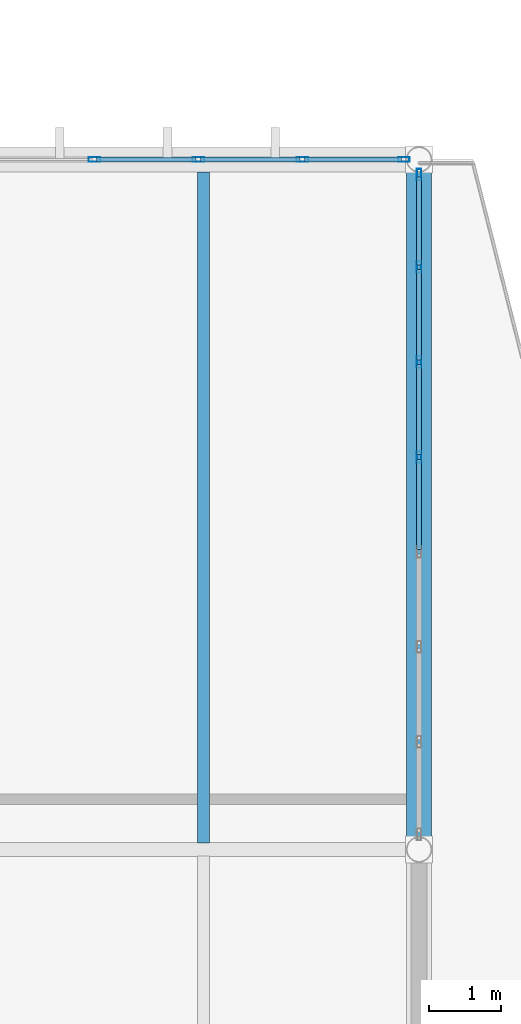
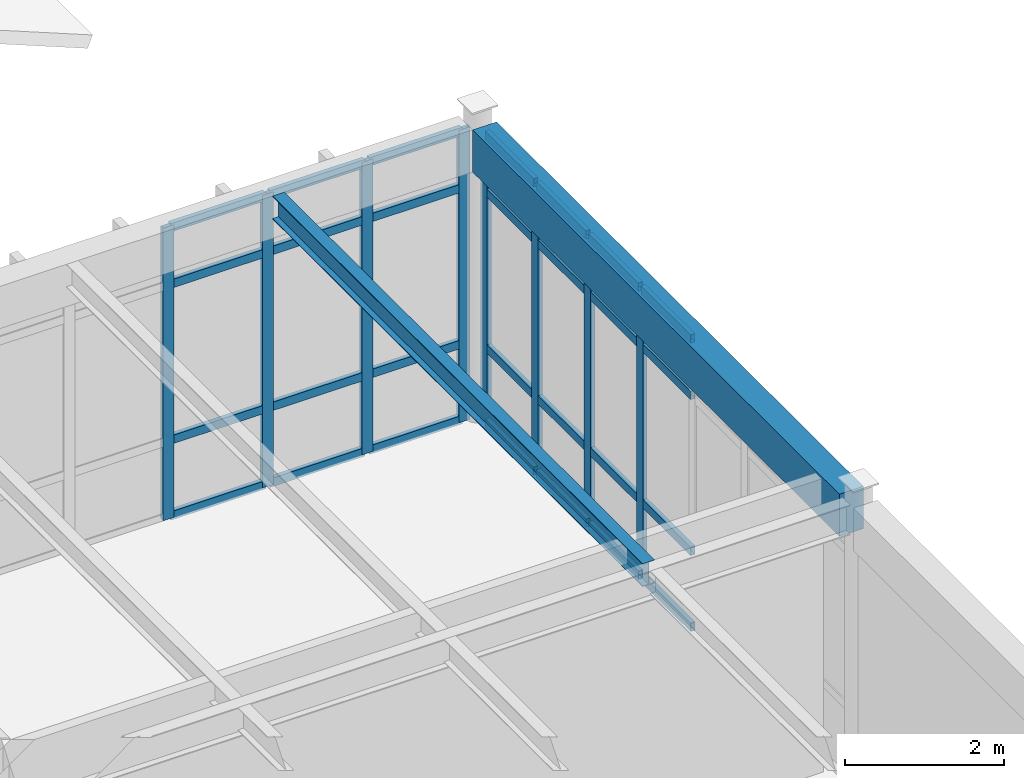
# One storey, part 26 of 236: 36 members, 2 beams, 2 elements without a shape of their own.
"""IFC4 building model written with IfcOpenShell, lengths in metres."""

from ifc_helpers import new_model, si_unit, direction, frame, origin, origin_2d, place, context, subcontext, project, spatial, rectangle, hollow_rectangle, i_section, extrude, material, layer, layer_set, material_profile, profile_set, type_object, element, aggregate, save


model = new_model("IFC4")

# Units and contexts
model_context = context("Model", 3, precision=1e-05, world=origin(), true_north=direction((0.0, 1.0)))
body_context = subcontext(model_context, "Body", "Model", "MODEL_VIEW")
ifc_project = project(units=[si_unit("LENGTHUNIT", "METRE"), si_unit("AREAUNIT", "SQUARE_METRE"), si_unit("VOLUMEUNIT", "CUBIC_METRE"), si_unit("PLANEANGLEUNIT", "RADIAN"), si_unit("MASSUNIT", "GRAM", prefix="KILO")], contexts=[model_context])

# Site, building, storey
site_placement = place(None, origin())
site = spatial("IfcSite", under=ifc_project, at=site_placement, CompositionType="ELEMENT")
building_placement = place(site_placement, origin())
building = spatial("IfcBuilding", under=site, at=building_placement, Name="Pandanus Reach Market Hall", CompositionType="ELEMENT")
storey_placement = place(building_placement, frame((0.0, 0.0, 5.39990234375)))
storey = spatial("IfcBuildingStorey", under=building, at=storey_placement, Name="L01", CompositionType="ELEMENT", Elevation=5.39990234375)

# Beam
ifc_material_1 = material(Name="Concrete N40 (40 MPa)", Category="concrete")
ifc_material_profile_1 = material_profile(ifc_material_1, rectangle(XDim=0.35009765625, YDim=0.64990234375, at=origin_2d()), Name="RC350x650", Category="LoadBearing")
ifc_profile_set_1 = profile_set([ifc_material_profile_1], Name="Concrete N40 (40 MPa)")
beam_type_1 = type_object("IfcBeamType", Name="BM-RC350-E", PredefinedType="SPANDREL", material=ifc_profile_set_1)
beam_1_placement = place(storey_placement, frame((36.0, 19.375732421875, 4.22998046875), z_axis=(0.0, 1.0, 0.0), x_axis=(-1.0, 0.0, 0.0)))
element("IfcBeam", 1, at=beam_1_placement, inside=storey, type_object=beam_type_1, Name="Framing beam BM-RC350-E L01.989", PredefinedType="SPANDREL", context=body_context, shape_type="SweptSolid", body=[
    extrude(rectangle(XDim=0.35009765625, YDim=0.64990234375, at=origin_2d()), origin(), (0.0, 0.0, 1.0), 9.24853515625),
])

# Curtain wall, members
ifc_material_2 = material(Name="Bronze anodised aluminium and low-E glass", Category="aluminium")
ifc_layer_1 = layer(ifc_material_2, 0.159912109375, Name="CW-18")
ifc_layer_set_1 = layer_set([ifc_layer_1], Name="Bronze anodised aluminium and low-E glass")
curtain_wall_type_1 = type_object("IfcCurtainWallType", Name="CW-18", PredefinedType="NOTDEFINED", material=ifc_layer_set_1)
curtain_wall_1_placement = place(storey_placement, origin())
curtain_wall_1 = element("IfcCurtainWall", 2, at=curtain_wall_1_placement, inside=storey, type_object=curtain_wall_type_1, Name="Glazed curtain wall CW-18 CW-0059", PredefinedType="NOTDEFINED")
ifc_material_3 = material(Name="Bronze anodised aluminium", Category="aluminium")
ifc_material_profile_2 = material_profile(ifc_material_3, hollow_rectangle(XDim=0.06494140625, YDim=0.159912109375, WallThickness=0.00390625, at=origin_2d()), Name="ALU65x160", Category="LoadBearing")
ifc_profile_set_2 = profile_set([ifc_material_profile_2], Name="Bronze anodised aluminium")
member_type_1 = type_object("IfcMemberType", Name="CW-M1", PredefinedType="MULLION", material=ifc_profile_set_2)
member_1_placement = place(storey_placement, frame((31.482666015625, 28.800048828125, 0.0), z_axis=(0.0, 0.0, 1.0), x_axis=(0.0, 1.0, 0.0)))
member_1 = element("IfcMember", 3, at=member_1_placement, type_object=member_type_1, Name="CW-18 mullion 6", PredefinedType="MULLION", context=body_context, shape_type="SweptSolid", body=[
    extrude(hollow_rectangle(XDim=0.06494140625, YDim=0.159912109375, WallThickness=0.00390625, at=origin_2d()), origin(), (0.0, 0.0, 1.0), 4.5),
])
member_2_placement = place(storey_placement, frame((32.92919921875, 28.800048828125, 0.0), z_axis=(0.0, 0.0, 1.0), x_axis=(0.0, 1.0, 0.0)))
member_2 = element("IfcMember", 4, at=member_2_placement, type_object=member_type_1, Name="CW-18 mullion 7", PredefinedType="MULLION", context=body_context, shape_type="SweptSolid", body=[
    extrude(hollow_rectangle(XDim=0.06494140625, YDim=0.159912109375, WallThickness=0.00390625, at=origin_2d()), origin(), (0.0, 0.0, 1.0), 4.5),
])
member_3_placement = place(storey_placement, frame((34.375732421875, 28.800048828125, 0.0), z_axis=(0.0, 0.0, 1.0), x_axis=(0.0, 1.0, 0.0)))
member_3 = element("IfcMember", 5, at=member_3_placement, type_object=member_type_1, Name="CW-18 mullion 8", PredefinedType="MULLION", context=body_context, shape_type="SweptSolid", body=[
    extrude(hollow_rectangle(XDim=0.06494140625, YDim=0.159912109375, WallThickness=0.00390625, at=origin_2d()), origin(), (0.0, 0.0, 1.0), 4.5),
])
member_4_placement = place(storey_placement, frame((35.789794921875, 28.800048828125, 0.0), z_axis=(0.0, 0.0, 1.0), x_axis=(0.0, 1.0, 0.0)))
member_4 = element("IfcMember", 6, at=member_4_placement, type_object=member_type_1, Name="CW-18 mullion 9", PredefinedType="MULLION", context=body_context, shape_type="SweptSolid", body=[
    extrude(hollow_rectangle(XDim=0.06494140625, YDim=0.159912109375, WallThickness=0.00390625, at=origin_2d()), origin(), (0.0, 0.0, 1.0), 4.5),
])

ifc_layer_2 = layer(ifc_material_2, 0.159912109375, Name="CW-20")
ifc_layer_set_2 = layer_set([ifc_layer_2], Name="Bronze anodised aluminium and low-E glass")
curtain_wall_type_2 = type_object("IfcCurtainWallType", Name="CW-20", PredefinedType="NOTDEFINED", material=ifc_layer_set_2)
curtain_wall_2_placement = place(storey_placement, origin())
curtain_wall_2 = element("IfcCurtainWall", 7, at=curtain_wall_2_placement, inside=storey, type_object=curtain_wall_type_2, Name="Glazed curtain wall CW-20 CW-0062", PredefinedType="NOTDEFINED")
member_5_placement = place(storey_placement, frame((36.0, 24.660400390625, 0.0), z_axis=(0.0, 0.0, 1.0), x_axis=(-1.0, 0.0, 0.0)))
member_5 = element("IfcMember", 8, at=member_5_placement, type_object=member_type_1, Name="CW-20 mullion 5", PredefinedType="MULLION", context=body_context, shape_type="SweptSolid", body=[
    extrude(hollow_rectangle(XDim=0.06494140625, YDim=0.159912109375, WallThickness=0.00390625, at=origin_2d()), origin(), (0.0, 0.0, 1.0), 4.5),
])
member_6_placement = place(storey_placement, frame((36.0, 25.98095703125, 0.0), z_axis=(0.0, 0.0, 1.0), x_axis=(-1.0, 0.0, 0.0)))
member_6 = element("IfcMember", 9, at=member_6_placement, type_object=member_type_1, Name="CW-20 mullion 6", PredefinedType="MULLION", context=body_context, shape_type="SweptSolid", body=[
    extrude(hollow_rectangle(XDim=0.06494140625, YDim=0.159912109375, WallThickness=0.00390625, at=origin_2d()), origin(), (0.0, 0.0, 1.0), 4.5),
])
member_7_placement = place(storey_placement, frame((36.0, 27.301513671875, 0.0), z_axis=(0.0, 0.0, 1.0), x_axis=(-1.0, 0.0, 0.0)))
member_7 = element("IfcMember", 10, at=member_7_placement, type_object=member_type_1, Name="CW-20 mullion 7", PredefinedType="MULLION", context=body_context, shape_type="SweptSolid", body=[
    extrude(hollow_rectangle(XDim=0.06494140625, YDim=0.159912109375, WallThickness=0.00390625, at=origin_2d()), origin(), (0.0, 0.0, 1.0), 4.5),
])
member_8_placement = place(storey_placement, frame((36.0, 28.589599609375, 0.0), z_axis=(0.0, 0.0, 1.0), x_axis=(-1.0, 0.0, 0.0)))
member_8 = element("IfcMember", 11, at=member_8_placement, type_object=member_type_1, Name="CW-20 mullion 8", PredefinedType="MULLION", context=body_context, shape_type="SweptSolid", body=[
    extrude(hollow_rectangle(XDim=0.06494140625, YDim=0.159912109375, WallThickness=0.00390625, at=origin_2d()), origin(), (0.0, 0.0, 1.0), 4.5),
])

# Member
ifc_material_profile_3 = material_profile(ifc_material_3, hollow_rectangle(XDim=0.06494140625, YDim=0.1298828125, WallThickness=0.00390625, at=origin_2d()), Name="ALU65x130", Category="LoadBearing")
ifc_profile_set_3 = profile_set([ifc_material_profile_3], Name="Bronze anodised aluminium")
member_type_2 = type_object("IfcMemberType", Name="CW-T1", PredefinedType="USERDEFINED", material=ifc_profile_set_3)
member_9_placement = place(storey_placement, frame((31.51513671875, 28.800048828125, 0.03271484375), z_axis=(1.0, 0.0, 0.0), x_axis=(0.0, 1.0, 0.0)))
member_9 = element("IfcMember", 12, at=member_9_placement, type_object=member_type_2, Name="CW-18 transom 6.1", ObjectType="TRANSOM", PredefinedType="USERDEFINED", context=body_context, shape_type="SweptSolid", body=[
    extrude(hollow_rectangle(XDim=0.06494140625, YDim=0.1298828125, WallThickness=0.00390625, at=origin_2d()), origin(), (0.0, 0.0, 1.0), 1.381591796875),
])

member_10_placement = place(storey_placement, frame((31.51513671875, 28.800048828125, 1.2001953125), z_axis=(1.0, 0.0, 0.0), x_axis=(0.0, 1.0, 0.0)))
member_10 = element("IfcMember", 13, at=member_10_placement, type_object=member_type_2, Name="CW-18 transom 6.2", ObjectType="TRANSOM", PredefinedType="USERDEFINED", context=body_context, shape_type="SweptSolid", body=[
    extrude(hollow_rectangle(XDim=0.06494140625, YDim=0.1298828125, WallThickness=0.00390625, at=origin_2d()), origin(), (0.0, 0.0, 1.0), 1.381591796875),
])

member_11_placement = place(storey_placement, frame((31.51513671875, 28.800048828125, 3.60009765625), z_axis=(1.0, 0.0, 0.0), x_axis=(0.0, 1.0, 0.0)))
member_11 = element("IfcMember", 14, at=member_11_placement, type_object=member_type_2, Name="CW-18 transom 6.3", ObjectType="TRANSOM", PredefinedType="USERDEFINED", context=body_context, shape_type="SweptSolid", body=[
    extrude(hollow_rectangle(XDim=0.06494140625, YDim=0.1298828125, WallThickness=0.00390625, at=origin_2d()), origin(), (0.0, 0.0, 1.0), 1.381591796875),
])

member_12_placement = place(storey_placement, frame((31.51513671875, 28.800048828125, 4.467529296875), z_axis=(1.0, 0.0, 0.0), x_axis=(0.0, 1.0, 0.0)))
member_12 = element("IfcMember", 15, at=member_12_placement, type_object=member_type_2, Name="CW-18 transom 6.4", ObjectType="TRANSOM", PredefinedType="USERDEFINED", context=body_context, shape_type="SweptSolid", body=[
    extrude(hollow_rectangle(XDim=0.06494140625, YDim=0.1298828125, WallThickness=0.00390625, at=origin_2d()), origin(), (0.0, 0.0, 1.0), 1.381591796875),
])

member_13_placement = place(storey_placement, frame((32.961669921875, 28.800048828125, 0.03271484375), z_axis=(1.0, 0.0, 0.0), x_axis=(0.0, 1.0, 0.0)))
member_13 = element("IfcMember", 16, at=member_13_placement, type_object=member_type_2, Name="CW-18 transom 7.1", ObjectType="TRANSOM", PredefinedType="USERDEFINED", context=body_context, shape_type="SweptSolid", body=[
    extrude(hollow_rectangle(XDim=0.06494140625, YDim=0.1298828125, WallThickness=0.00390625, at=origin_2d()), origin(), (0.0, 0.0, 1.0), 1.381591796875),
])

member_14_placement = place(storey_placement, frame((32.961669921875, 28.800048828125, 1.2001953125), z_axis=(1.0, 0.0, 0.0), x_axis=(0.0, 1.0, 0.0)))
member_14 = element("IfcMember", 17, at=member_14_placement, type_object=member_type_2, Name="CW-18 transom 7.2", ObjectType="TRANSOM", PredefinedType="USERDEFINED", context=body_context, shape_type="SweptSolid", body=[
    extrude(hollow_rectangle(XDim=0.06494140625, YDim=0.1298828125, WallThickness=0.00390625, at=origin_2d()), origin(), (0.0, 0.0, 1.0), 1.381591796875),
])

member_15_placement = place(storey_placement, frame((32.961669921875, 28.800048828125, 3.60009765625), z_axis=(1.0, 0.0, 0.0), x_axis=(0.0, 1.0, 0.0)))
member_15 = element("IfcMember", 18, at=member_15_placement, type_object=member_type_2, Name="CW-18 transom 7.3", ObjectType="TRANSOM", PredefinedType="USERDEFINED", context=body_context, shape_type="SweptSolid", body=[
    extrude(hollow_rectangle(XDim=0.06494140625, YDim=0.1298828125, WallThickness=0.00390625, at=origin_2d()), origin(), (0.0, 0.0, 1.0), 1.381591796875),
])

member_16_placement = place(storey_placement, frame((32.961669921875, 28.800048828125, 4.467529296875), z_axis=(1.0, 0.0, 0.0), x_axis=(0.0, 1.0, 0.0)))
member_16 = element("IfcMember", 19, at=member_16_placement, type_object=member_type_2, Name="CW-18 transom 7.4", ObjectType="TRANSOM", PredefinedType="USERDEFINED", context=body_context, shape_type="SweptSolid", body=[
    extrude(hollow_rectangle(XDim=0.06494140625, YDim=0.1298828125, WallThickness=0.00390625, at=origin_2d()), origin(), (0.0, 0.0, 1.0), 1.381591796875),
])

member_17_placement = place(storey_placement, frame((34.408203125, 28.800048828125, 0.03271484375), z_axis=(1.0, 0.0, 0.0), x_axis=(0.0, 1.0, 0.0)))
member_17 = element("IfcMember", 20, at=member_17_placement, type_object=member_type_2, Name="CW-18 transom 8.1", ObjectType="TRANSOM", PredefinedType="USERDEFINED", context=body_context, shape_type="SweptSolid", body=[
    extrude(hollow_rectangle(XDim=0.06494140625, YDim=0.1298828125, WallThickness=0.00390625, at=origin_2d()), origin(), (0.0, 0.0, 1.0), 1.348876953125),
])

member_18_placement = place(storey_placement, frame((34.408203125, 28.800048828125, 1.2001953125), z_axis=(1.0, 0.0, 0.0), x_axis=(0.0, 1.0, 0.0)))
member_18 = element("IfcMember", 21, at=member_18_placement, type_object=member_type_2, Name="CW-18 transom 8.2", ObjectType="TRANSOM", PredefinedType="USERDEFINED", context=body_context, shape_type="SweptSolid", body=[
    extrude(hollow_rectangle(XDim=0.06494140625, YDim=0.1298828125, WallThickness=0.00390625, at=origin_2d()), origin(), (0.0, 0.0, 1.0), 1.348876953125),
])

member_19_placement = place(storey_placement, frame((34.408203125, 28.800048828125, 3.60009765625), z_axis=(1.0, 0.0, 0.0), x_axis=(0.0, 1.0, 0.0)))
member_19 = element("IfcMember", 22, at=member_19_placement, type_object=member_type_2, Name="CW-18 transom 8.3", ObjectType="TRANSOM", PredefinedType="USERDEFINED", context=body_context, shape_type="SweptSolid", body=[
    extrude(hollow_rectangle(XDim=0.06494140625, YDim=0.1298828125, WallThickness=0.00390625, at=origin_2d()), origin(), (0.0, 0.0, 1.0), 1.348876953125),
])

member_20_placement = place(storey_placement, frame((34.408203125, 28.800048828125, 4.467529296875), z_axis=(1.0, 0.0, 0.0), x_axis=(0.0, 1.0, 0.0)))
member_20 = element("IfcMember", 23, at=member_20_placement, type_object=member_type_2, Name="CW-18 transom 8.4", ObjectType="TRANSOM", PredefinedType="USERDEFINED", context=body_context, shape_type="SweptSolid", body=[
    extrude(hollow_rectangle(XDim=0.06494140625, YDim=0.1298828125, WallThickness=0.00390625, at=origin_2d()), origin(), (0.0, 0.0, 1.0), 1.348876953125),
])

aggregate(curtain_wall_1, [member_1, member_2, member_3, member_4, member_9, member_10, member_11, member_12, member_13, member_14, member_15, member_16, member_17, member_18, member_19, member_20])

member_21_placement = place(storey_placement, frame((36.0, 23.3720703125, 0.03271484375), z_axis=(0.0, 1.0, 0.0), x_axis=(-1.0, 0.0, 0.0)))
member_21 = element("IfcMember", 24, at=member_21_placement, type_object=member_type_2, Name="CW-20 transom 4.1", ObjectType="TRANSOM", PredefinedType="USERDEFINED", context=body_context, shape_type="SweptSolid", body=[
    extrude(hollow_rectangle(XDim=0.06494140625, YDim=0.1298828125, WallThickness=0.00390625, at=origin_2d()), origin(), (0.0, 0.0, 1.0), 1.255859375),
])

member_22_placement = place(storey_placement, frame((36.0, 23.3720703125, 1.2001953125), z_axis=(0.0, 1.0, 0.0), x_axis=(-1.0, 0.0, 0.0)))
member_22 = element("IfcMember", 25, at=member_22_placement, type_object=member_type_2, Name="CW-20 transom 4.2", ObjectType="TRANSOM", PredefinedType="USERDEFINED", context=body_context, shape_type="SweptSolid", body=[
    extrude(hollow_rectangle(XDim=0.06494140625, YDim=0.1298828125, WallThickness=0.00390625, at=origin_2d()), origin(), (0.0, 0.0, 1.0), 1.255859375),
])

member_23_placement = place(storey_placement, frame((36.0, 23.3720703125, 3.60009765625), z_axis=(0.0, 1.0, 0.0), x_axis=(-1.0, 0.0, 0.0)))
member_23 = element("IfcMember", 26, at=member_23_placement, type_object=member_type_2, Name="CW-20 transom 4.3", ObjectType="TRANSOM", PredefinedType="USERDEFINED", context=body_context, shape_type="SweptSolid", body=[
    extrude(hollow_rectangle(XDim=0.06494140625, YDim=0.1298828125, WallThickness=0.00390625, at=origin_2d()), origin(), (0.0, 0.0, 1.0), 1.255859375),
])

member_24_placement = place(storey_placement, frame((36.0, 23.3720703125, 4.467529296875), z_axis=(0.0, 1.0, 0.0), x_axis=(-1.0, 0.0, 0.0)))
member_24 = element("IfcMember", 27, at=member_24_placement, type_object=member_type_2, Name="CW-20 transom 4.4", ObjectType="TRANSOM", PredefinedType="USERDEFINED", context=body_context, shape_type="SweptSolid", body=[
    extrude(hollow_rectangle(XDim=0.06494140625, YDim=0.1298828125, WallThickness=0.00390625, at=origin_2d()), origin(), (0.0, 0.0, 1.0), 1.255859375),
])

member_25_placement = place(storey_placement, frame((36.0, 24.69287109375, 0.03271484375), z_axis=(0.0, 1.0, 0.0), x_axis=(-1.0, 0.0, 0.0)))
member_25 = element("IfcMember", 28, at=member_25_placement, type_object=member_type_2, Name="CW-20 transom 5.1", ObjectType="TRANSOM", PredefinedType="USERDEFINED", context=body_context, shape_type="SweptSolid", body=[
    extrude(hollow_rectangle(XDim=0.06494140625, YDim=0.1298828125, WallThickness=0.00390625, at=origin_2d()), origin(), (0.0, 0.0, 1.0), 1.255615234375),
])

member_26_placement = place(storey_placement, frame((36.0, 24.69287109375, 1.2001953125), z_axis=(0.0, 1.0, 0.0), x_axis=(-1.0, 0.0, 0.0)))
member_26 = element("IfcMember", 29, at=member_26_placement, type_object=member_type_2, Name="CW-20 transom 5.2", ObjectType="TRANSOM", PredefinedType="USERDEFINED", context=body_context, shape_type="SweptSolid", body=[
    extrude(hollow_rectangle(XDim=0.06494140625, YDim=0.1298828125, WallThickness=0.00390625, at=origin_2d()), origin(), (0.0, 0.0, 1.0), 1.255615234375),
])

member_27_placement = place(storey_placement, frame((36.0, 24.69287109375, 3.60009765625), z_axis=(0.0, 1.0, 0.0), x_axis=(-1.0, 0.0, 0.0)))
member_27 = element("IfcMember", 30, at=member_27_placement, type_object=member_type_2, Name="CW-20 transom 5.3", ObjectType="TRANSOM", PredefinedType="USERDEFINED", context=body_context, shape_type="SweptSolid", body=[
    extrude(hollow_rectangle(XDim=0.06494140625, YDim=0.1298828125, WallThickness=0.00390625, at=origin_2d()), origin(), (0.0, 0.0, 1.0), 1.255615234375),
])

member_28_placement = place(storey_placement, frame((36.0, 24.69287109375, 4.467529296875), z_axis=(0.0, 1.0, 0.0), x_axis=(-1.0, 0.0, 0.0)))
member_28 = element("IfcMember", 31, at=member_28_placement, type_object=member_type_2, Name="CW-20 transom 5.4", ObjectType="TRANSOM", PredefinedType="USERDEFINED", context=body_context, shape_type="SweptSolid", body=[
    extrude(hollow_rectangle(XDim=0.06494140625, YDim=0.1298828125, WallThickness=0.00390625, at=origin_2d()), origin(), (0.0, 0.0, 1.0), 1.255615234375),
])

member_29_placement = place(storey_placement, frame((36.0, 26.013427734375, 0.03271484375), z_axis=(0.0, 1.0, 0.0), x_axis=(-1.0, 0.0, 0.0)))
member_29 = element("IfcMember", 32, at=member_29_placement, type_object=member_type_2, Name="CW-20 transom 6.1", ObjectType="TRANSOM", PredefinedType="USERDEFINED", context=body_context, shape_type="SweptSolid", body=[
    extrude(hollow_rectangle(XDim=0.06494140625, YDim=0.1298828125, WallThickness=0.00390625, at=origin_2d()), origin(), (0.0, 0.0, 1.0), 1.255615234375),
])

member_30_placement = place(storey_placement, frame((36.0, 26.013427734375, 1.2001953125), z_axis=(0.0, 1.0, 0.0), x_axis=(-1.0, 0.0, 0.0)))
member_30 = element("IfcMember", 33, at=member_30_placement, type_object=member_type_2, Name="CW-20 transom 6.2", ObjectType="TRANSOM", PredefinedType="USERDEFINED", context=body_context, shape_type="SweptSolid", body=[
    extrude(hollow_rectangle(XDim=0.06494140625, YDim=0.1298828125, WallThickness=0.00390625, at=origin_2d()), origin(), (0.0, 0.0, 1.0), 1.255615234375),
])

member_31_placement = place(storey_placement, frame((36.0, 26.013427734375, 3.60009765625), z_axis=(0.0, 1.0, 0.0), x_axis=(-1.0, 0.0, 0.0)))
member_31 = element("IfcMember", 34, at=member_31_placement, type_object=member_type_2, Name="CW-20 transom 6.3", ObjectType="TRANSOM", PredefinedType="USERDEFINED", context=body_context, shape_type="SweptSolid", body=[
    extrude(hollow_rectangle(XDim=0.06494140625, YDim=0.1298828125, WallThickness=0.00390625, at=origin_2d()), origin(), (0.0, 0.0, 1.0), 1.255615234375),
])

member_32_placement = place(storey_placement, frame((36.0, 26.013427734375, 4.467529296875), z_axis=(0.0, 1.0, 0.0), x_axis=(-1.0, 0.0, 0.0)))
member_32 = element("IfcMember", 35, at=member_32_placement, type_object=member_type_2, Name="CW-20 transom 6.4", ObjectType="TRANSOM", PredefinedType="USERDEFINED", context=body_context, shape_type="SweptSolid", body=[
    extrude(hollow_rectangle(XDim=0.06494140625, YDim=0.1298828125, WallThickness=0.00390625, at=origin_2d()), origin(), (0.0, 0.0, 1.0), 1.255615234375),
])

member_33_placement = place(storey_placement, frame((36.0, 27.333984375, 0.03271484375), z_axis=(0.0, 1.0, 0.0), x_axis=(-1.0, 0.0, 0.0)))
member_33 = element("IfcMember", 36, at=member_33_placement, type_object=member_type_2, Name="CW-20 transom 7.1", ObjectType="TRANSOM", PredefinedType="USERDEFINED", context=body_context, shape_type="SweptSolid", body=[
    extrude(hollow_rectangle(XDim=0.06494140625, YDim=0.1298828125, WallThickness=0.00390625, at=origin_2d()), origin(), (0.0, 0.0, 1.0), 1.22314453125),
])

member_34_placement = place(storey_placement, frame((36.0, 27.333984375, 1.2001953125), z_axis=(0.0, 1.0, 0.0), x_axis=(-1.0, 0.0, 0.0)))
member_34 = element("IfcMember", 37, at=member_34_placement, type_object=member_type_2, Name="CW-20 transom 7.2", ObjectType="TRANSOM", PredefinedType="USERDEFINED", context=body_context, shape_type="SweptSolid", body=[
    extrude(hollow_rectangle(XDim=0.06494140625, YDim=0.1298828125, WallThickness=0.00390625, at=origin_2d()), origin(), (0.0, 0.0, 1.0), 1.22314453125),
])

member_35_placement = place(storey_placement, frame((36.0, 27.333984375, 3.60009765625), z_axis=(0.0, 1.0, 0.0), x_axis=(-1.0, 0.0, 0.0)))
member_35 = element("IfcMember", 38, at=member_35_placement, type_object=member_type_2, Name="CW-20 transom 7.3", ObjectType="TRANSOM", PredefinedType="USERDEFINED", context=body_context, shape_type="SweptSolid", body=[
    extrude(hollow_rectangle(XDim=0.06494140625, YDim=0.1298828125, WallThickness=0.00390625, at=origin_2d()), origin(), (0.0, 0.0, 1.0), 1.22314453125),
])

member_36_placement = place(storey_placement, frame((36.0, 27.333984375, 4.467529296875), z_axis=(0.0, 1.0, 0.0), x_axis=(-1.0, 0.0, 0.0)))
member_36 = element("IfcMember", 39, at=member_36_placement, type_object=member_type_2, Name="CW-20 transom 7.4", ObjectType="TRANSOM", PredefinedType="USERDEFINED", context=body_context, shape_type="SweptSolid", body=[
    extrude(hollow_rectangle(XDim=0.06494140625, YDim=0.1298828125, WallThickness=0.00390625, at=origin_2d()), origin(), (0.0, 0.0, 1.0), 1.22314453125),
])

aggregate(curtain_wall_2, [member_5, member_6, member_7, member_8, member_21, member_22, member_23, member_24, member_25, member_26, member_27, member_28, member_29, member_30, member_31, member_32, member_33, member_34, member_35, member_36])

# Beam
ifc_material_4 = material(Name="Steel Grade 350 (350 MPa)", Category="steel")
ifc_material_profile_4 = material_profile(ifc_material_4, i_section(OverallWidth=0.1708984375, OverallDepth=0.35595703125, WebThickness=0.00732421875, FlangeThickness=0.011474609375, at=origin_2d()), Name="360UB50.7", Category="LoadBearing")
ifc_profile_set_4 = profile_set([ifc_material_profile_4], Name="Steel Grade 350 (350 MPa)")
beam_type_2 = type_object("IfcBeamType", Name="JS-UB360-I", PredefinedType="JOIST", material=ifc_profile_set_4)
beam_2_placement = place(storey_placement, frame((33.0, 19.29296875, 4.376708984375), z_axis=(0.0, 1.0, 0.0), x_axis=(-1.0, 0.0, 0.0)))
element("IfcBeam", 40, at=beam_2_placement, inside=storey, type_object=beam_type_2, Name="Secondary joist JS-UB360-I L01.1010", PredefinedType="JOIST", context=body_context, shape_type="SweptSolid", body=[
    extrude(i_section(OverallWidth=0.1708984375, OverallDepth=0.35595703125, WebThickness=0.00732421875, FlangeThickness=0.011474609375, at=origin_2d()), origin(), (0.0, 0.0, 1.0), 9.333984375),
])

save(model, "model.ifc")
